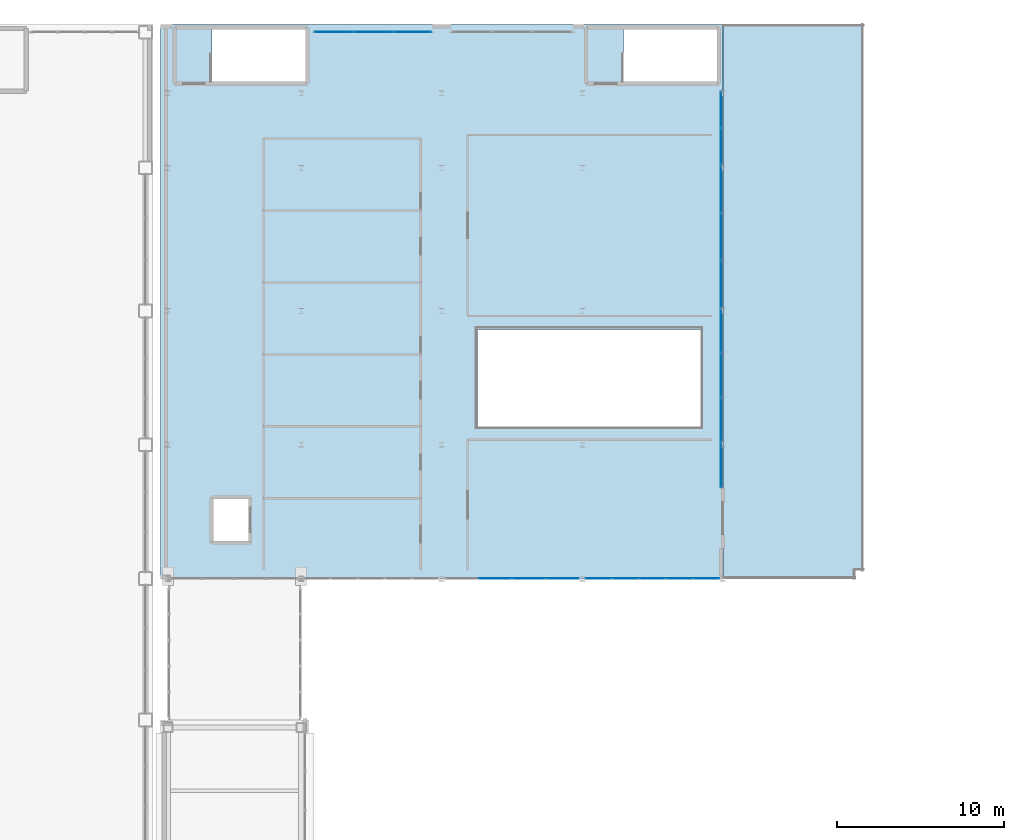
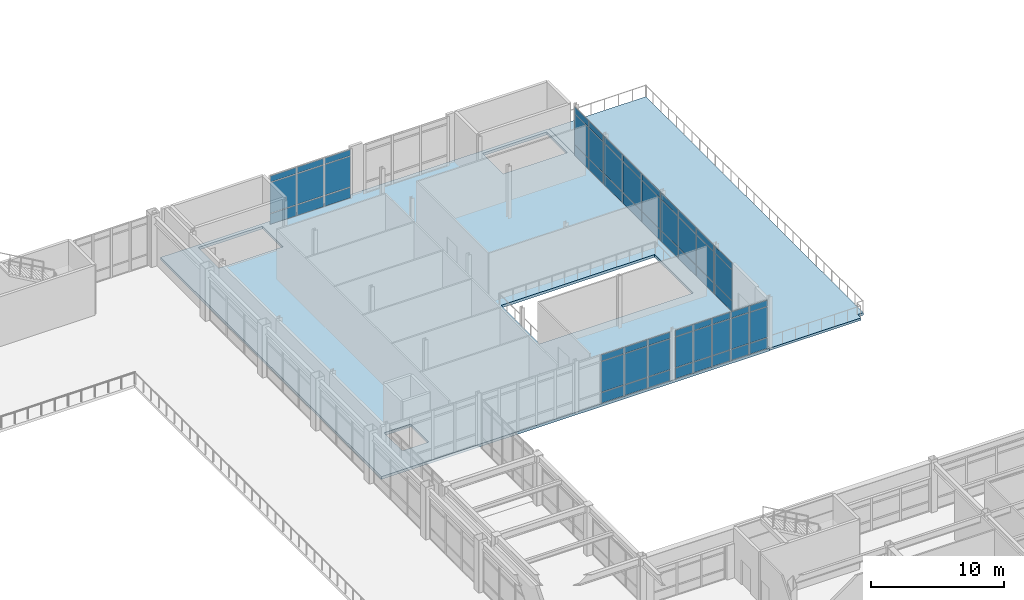
# One storey, part 123 of 154: 60 plates, 2 slabs, 7 elements without a shape of their own.
"""IFC4 building model written with IfcOpenShell, lengths in metres."""

from ifc_helpers import new_model, si_unit, direction, frame, origin, origin_2d, place, context, subcontext, project, spatial, polyline, rectangle, outline, extrude, material, layer, layer_set, type_object, element, aggregate, save


model = new_model("IFC4")

# Units and contexts
model_context = context("Model", 3, precision=1e-05, world=origin(), true_north=direction((0.0, 1.0)))
body_context = subcontext(model_context, "Body", "Model", "MODEL_VIEW")
ifc_project = project(units=[si_unit("LENGTHUNIT", "METRE"), si_unit("AREAUNIT", "SQUARE_METRE"), si_unit("VOLUMEUNIT", "CUBIC_METRE"), si_unit("PLANEANGLEUNIT", "RADIAN"), si_unit("MASSUNIT", "GRAM", prefix="KILO")], contexts=[model_context])

# Site, building, storey
site_placement = place(None, origin())
site = spatial("IfcSite", under=ifc_project, at=site_placement, CompositionType="ELEMENT")
building_placement = place(site_placement, origin())
building = spatial("IfcBuilding", under=site, at=building_placement, Name="Kazehara Bluff Congress Hotel", CompositionType="ELEMENT")
storey_placement = place(building_placement, frame((0.0, 0.0, 10.199951171875)))
storey = spatial("IfcBuildingStorey", under=building, at=storey_placement, Name="L02", CompositionType="ELEMENT", Elevation=10.199951171875)

# Curtain wall, plates
ifc_material_1 = material(Name="Anodised aluminium", Category="aluminium")
ifc_layer_1 = layer(ifc_material_1, 0.159912109375)
ifc_layer_set_1 = layer_set([ifc_layer_1], Name="Anodised aluminium")
curtain_wall_type_1 = type_object("IfcCurtainWallType", Name="TP-CW-39", PredefinedType="NOTDEFINED", material=ifc_layer_set_1)
curtain_wall_1_placement = place(storey_placement, origin())
curtain_wall_1 = element("IfcCurtainWall", 1, at=curtain_wall_1_placement, inside=storey, type_object=curtain_wall_type_1, Name="L02 curtain wall CW-39 CW-V3-L02-Y8090-7620", PredefinedType="NOTDEFINED")
ifc_material_2 = material(Name="Insulated low-E double glazing", Category="glass")
ifc_layer_2 = layer(ifc_material_2, 0.031982421875)
ifc_layer_set_2 = layer_set([ifc_layer_2], Name="Insulated low-E double glazing")
plate_type = type_object("IfcPlateType", Name="TP-CWP-02", PredefinedType="CURTAIN_PANEL", material=ifc_layer_set_2)
plate_1_placement = place(storey_placement, frame((79.237548828125, 80.89990234375, 0.06494140625), z_axis=(0.0, 0.0, 1.0), x_axis=(1.0, 0.0, 0.0)))
plate_1 = element("IfcPlate", 2, at=plate_1_placement, type_object=plate_type, Name="CW-39 panel 2.1", PredefinedType="CURTAIN_PANEL", context=body_context, shape_type="SweptSolid", body=[
    extrude(rectangle(XDim=1.955078125, YDim=0.031982421875, at=origin_2d()), origin(), (0.0, 0.0, 1.0), 0.952392578125),
])
plate_2_placement = place(storey_placement, frame((79.237548828125, 80.89990234375, 1.08251953125), z_axis=(0.0, 0.0, 1.0), x_axis=(1.0, 0.0, 0.0)))
plate_2 = element("IfcPlate", 3, at=plate_2_placement, type_object=plate_type, Name="CW-39 panel 2.2", PredefinedType="CURTAIN_PANEL", context=body_context, shape_type="SweptSolid", body=[
    extrude(rectangle(XDim=1.955078125, YDim=0.031982421875, at=origin_2d()), origin(), (0.0, 0.0, 1.0), 2.780029296875),
])
plate_3_placement = place(storey_placement, frame((79.237548828125, 80.89990234375, 3.927734375), z_axis=(0.0, 0.0, 1.0), x_axis=(1.0, 0.0, 0.0)))
plate_3 = element("IfcPlate", 4, at=plate_3_placement, type_object=plate_type, Name="CW-39 panel 2.3", PredefinedType="CURTAIN_PANEL", context=body_context, shape_type="SweptSolid", body=[
    extrude(rectangle(XDim=1.955078125, YDim=0.031982421875, at=origin_2d()), origin(), (0.0, 0.0, 1.0), 0.552490234375),
])
plate_4_placement = place(storey_placement, frame((81.262451171875, 80.89990234375, 0.06494140625), z_axis=(0.0, 0.0, 1.0), x_axis=(1.0, 0.0, 0.0)))
plate_4 = element("IfcPlate", 5, at=plate_4_placement, type_object=plate_type, Name="CW-39 panel 3.1", PredefinedType="CURTAIN_PANEL", context=body_context, shape_type="SweptSolid", body=[
    extrude(rectangle(XDim=1.955078125, YDim=0.031982421875, at=origin_2d()), origin(), (0.0, 0.0, 1.0), 0.952392578125),
])
plate_5_placement = place(storey_placement, frame((81.262451171875, 80.89990234375, 1.08251953125), z_axis=(0.0, 0.0, 1.0), x_axis=(1.0, 0.0, 0.0)))
plate_5 = element("IfcPlate", 6, at=plate_5_placement, type_object=plate_type, Name="CW-39 panel 3.2", PredefinedType="CURTAIN_PANEL", context=body_context, shape_type="SweptSolid", body=[
    extrude(rectangle(XDim=1.955078125, YDim=0.031982421875, at=origin_2d()), origin(), (0.0, 0.0, 1.0), 2.780029296875),
])
plate_6_placement = place(storey_placement, frame((81.262451171875, 80.89990234375, 3.927734375), z_axis=(0.0, 0.0, 1.0), x_axis=(1.0, 0.0, 0.0)))
plate_6 = element("IfcPlate", 7, at=plate_6_placement, type_object=plate_type, Name="CW-39 panel 3.3", PredefinedType="CURTAIN_PANEL", context=body_context, shape_type="SweptSolid", body=[
    extrude(rectangle(XDim=1.955078125, YDim=0.031982421875, at=origin_2d()), origin(), (0.0, 0.0, 1.0), 0.552490234375),
])
plate_7_placement = place(storey_placement, frame((83.27001953125, 80.89990234375, 0.06494140625), z_axis=(0.0, 0.0, 1.0), x_axis=(1.0, 0.0, 0.0)))
plate_7 = element("IfcPlate", 8, at=plate_7_placement, type_object=plate_type, Name="CW-39 panel 4.1", PredefinedType="CURTAIN_PANEL", context=body_context, shape_type="SweptSolid", body=[
    extrude(rectangle(XDim=1.919921875, YDim=0.031982421875, at=origin_2d()), origin(), (0.0, 0.0, 1.0), 0.952392578125),
])
plate_8_placement = place(storey_placement, frame((83.27001953125, 80.89990234375, 1.08251953125), z_axis=(0.0, 0.0, 1.0), x_axis=(1.0, 0.0, 0.0)))
plate_8 = element("IfcPlate", 9, at=plate_8_placement, type_object=plate_type, Name="CW-39 panel 4.2", PredefinedType="CURTAIN_PANEL", context=body_context, shape_type="SweptSolid", body=[
    extrude(rectangle(XDim=1.919921875, YDim=0.031982421875, at=origin_2d()), origin(), (0.0, 0.0, 1.0), 2.780029296875),
])
plate_9_placement = place(storey_placement, frame((83.27001953125, 80.89990234375, 3.927734375), z_axis=(0.0, 0.0, 1.0), x_axis=(1.0, 0.0, 0.0)))
plate_9 = element("IfcPlate", 10, at=plate_9_placement, type_object=plate_type, Name="CW-39 panel 4.3", PredefinedType="CURTAIN_PANEL", context=body_context, shape_type="SweptSolid", body=[
    extrude(rectangle(XDim=1.919921875, YDim=0.031982421875, at=origin_2d()), origin(), (0.0, 0.0, 1.0), 0.552490234375),
])
aggregate(curtain_wall_1, [plate_1, plate_2, plate_3, plate_4, plate_5, plate_6, plate_7, plate_8, plate_9])

curtain_wall_2_placement = place(storey_placement, origin())
curtain_wall_2 = element("IfcCurtainWall", 11, at=curtain_wall_2_placement, inside=storey, type_object=curtain_wall_type_1, Name="L02 curtain wall CW-39 CW-V3-L02-Y8090-8460", PredefinedType="NOTDEFINED")
plate_10_placement = place(storey_placement, frame((85.427490234375, 80.89990234375, 0.06494140625), z_axis=(0.0, 0.0, 1.0), x_axis=(1.0, 0.0, 0.0)))
plate_10 = element("IfcPlate", 12, at=plate_10_placement, type_object=plate_type, Name="CW-39 panel 1.1", PredefinedType="CURTAIN_PANEL", context=body_context, shape_type="SweptSolid", body=[
    extrude(rectangle(XDim=1.514892578125, YDim=0.031982421875, at=origin_2d()), origin(), (0.0, 0.0, 1.0), 0.952392578125),
])
plate_11_placement = place(storey_placement, frame((85.427490234375, 80.89990234375, 1.08251953125), z_axis=(0.0, 0.0, 1.0), x_axis=(1.0, 0.0, 0.0)))
plate_11 = element("IfcPlate", 13, at=plate_11_placement, type_object=plate_type, Name="CW-39 panel 1.2", PredefinedType="CURTAIN_PANEL", context=body_context, shape_type="SweptSolid", body=[
    extrude(rectangle(XDim=1.514892578125, YDim=0.031982421875, at=origin_2d()), origin(), (0.0, 0.0, 1.0), 2.780029296875),
])
plate_12_placement = place(storey_placement, frame((85.427490234375, 80.89990234375, 3.927734375), z_axis=(0.0, 0.0, 1.0), x_axis=(1.0, 0.0, 0.0)))
plate_12 = element("IfcPlate", 14, at=plate_12_placement, type_object=plate_type, Name="CW-39 panel 1.3", PredefinedType="CURTAIN_PANEL", context=body_context, shape_type="SweptSolid", body=[
    extrude(rectangle(XDim=1.514892578125, YDim=0.031982421875, at=origin_2d()), origin(), (0.0, 0.0, 1.0), 0.552490234375),
])
plate_13_placement = place(storey_placement, frame((87.030029296875, 80.89990234375, 0.06494140625), z_axis=(0.0, 0.0, 1.0), x_axis=(1.0, 0.0, 0.0)))
plate_13 = element("IfcPlate", 15, at=plate_13_placement, type_object=plate_type, Name="CW-39 panel 2.1", PredefinedType="CURTAIN_PANEL", context=body_context, shape_type="SweptSolid", body=[
    extrude(rectangle(XDim=1.550048828125, YDim=0.031982421875, at=origin_2d()), origin(), (0.0, 0.0, 1.0), 0.952392578125),
])
plate_14_placement = place(storey_placement, frame((87.030029296875, 80.89990234375, 1.08251953125), z_axis=(0.0, 0.0, 1.0), x_axis=(1.0, 0.0, 0.0)))
plate_14 = element("IfcPlate", 16, at=plate_14_placement, type_object=plate_type, Name="CW-39 panel 2.2", PredefinedType="CURTAIN_PANEL", context=body_context, shape_type="SweptSolid", body=[
    extrude(rectangle(XDim=1.550048828125, YDim=0.031982421875, at=origin_2d()), origin(), (0.0, 0.0, 1.0), 2.780029296875),
])
plate_15_placement = place(storey_placement, frame((87.030029296875, 80.89990234375, 3.927734375), z_axis=(0.0, 0.0, 1.0), x_axis=(1.0, 0.0, 0.0)))
plate_15 = element("IfcPlate", 17, at=plate_15_placement, type_object=plate_type, Name="CW-39 panel 2.3", PredefinedType="CURTAIN_PANEL", context=body_context, shape_type="SweptSolid", body=[
    extrude(rectangle(XDim=1.550048828125, YDim=0.031982421875, at=origin_2d()), origin(), (0.0, 0.0, 1.0), 0.552490234375),
])
plate_16_placement = place(storey_placement, frame((88.64990234375, 80.89990234375, 0.06494140625), z_axis=(0.0, 0.0, 1.0), x_axis=(1.0, 0.0, 0.0)))
plate_16 = element("IfcPlate", 18, at=plate_16_placement, type_object=plate_type, Name="CW-39 panel 3.1", PredefinedType="CURTAIN_PANEL", context=body_context, shape_type="SweptSolid", body=[
    extrude(rectangle(XDim=1.550048828125, YDim=0.031982421875, at=origin_2d()), origin(), (0.0, 0.0, 1.0), 0.952392578125),
])
plate_17_placement = place(storey_placement, frame((88.64990234375, 80.89990234375, 1.08251953125), z_axis=(0.0, 0.0, 1.0), x_axis=(1.0, 0.0, 0.0)))
plate_17 = element("IfcPlate", 19, at=plate_17_placement, type_object=plate_type, Name="CW-39 panel 3.2", PredefinedType="CURTAIN_PANEL", context=body_context, shape_type="SweptSolid", body=[
    extrude(rectangle(XDim=1.550048828125, YDim=0.031982421875, at=origin_2d()), origin(), (0.0, 0.0, 1.0), 2.780029296875),
])
plate_18_placement = place(storey_placement, frame((88.64990234375, 80.89990234375, 3.927734375), z_axis=(0.0, 0.0, 1.0), x_axis=(1.0, 0.0, 0.0)))
plate_18 = element("IfcPlate", 20, at=plate_18_placement, type_object=plate_type, Name="CW-39 panel 3.3", PredefinedType="CURTAIN_PANEL", context=body_context, shape_type="SweptSolid", body=[
    extrude(rectangle(XDim=1.550048828125, YDim=0.031982421875, at=origin_2d()), origin(), (0.0, 0.0, 1.0), 0.552490234375),
])
plate_19_placement = place(storey_placement, frame((90.27001953125, 80.89990234375, 0.06494140625), z_axis=(0.0, 0.0, 1.0), x_axis=(1.0, 0.0, 0.0)))
plate_19 = element("IfcPlate", 21, at=plate_19_placement, type_object=plate_type, Name="CW-39 panel 4.1", PredefinedType="CURTAIN_PANEL", context=body_context, shape_type="SweptSolid", body=[
    extrude(rectangle(XDim=1.550048828125, YDim=0.031982421875, at=origin_2d()), origin(), (0.0, 0.0, 1.0), 0.952392578125),
])
plate_20_placement = place(storey_placement, frame((90.27001953125, 80.89990234375, 1.08251953125), z_axis=(0.0, 0.0, 1.0), x_axis=(1.0, 0.0, 0.0)))
plate_20 = element("IfcPlate", 22, at=plate_20_placement, type_object=plate_type, Name="CW-39 panel 4.2", PredefinedType="CURTAIN_PANEL", context=body_context, shape_type="SweptSolid", body=[
    extrude(rectangle(XDim=1.550048828125, YDim=0.031982421875, at=origin_2d()), origin(), (0.0, 0.0, 1.0), 2.780029296875),
])
plate_21_placement = place(storey_placement, frame((90.27001953125, 80.89990234375, 3.927734375), z_axis=(0.0, 0.0, 1.0), x_axis=(1.0, 0.0, 0.0)))
plate_21 = element("IfcPlate", 23, at=plate_21_placement, type_object=plate_type, Name="CW-39 panel 4.3", PredefinedType="CURTAIN_PANEL", context=body_context, shape_type="SweptSolid", body=[
    extrude(rectangle(XDim=1.550048828125, YDim=0.031982421875, at=origin_2d()), origin(), (0.0, 0.0, 1.0), 0.552490234375),
])
plate_22_placement = place(storey_placement, frame((91.87255859375, 80.89990234375, 0.06494140625), z_axis=(0.0, 0.0, 1.0), x_axis=(1.0, 0.0, 0.0)))
plate_22 = element("IfcPlate", 24, at=plate_22_placement, type_object=plate_type, Name="CW-39 panel 5.1", PredefinedType="CURTAIN_PANEL", context=body_context, shape_type="SweptSolid", body=[
    extrude(rectangle(XDim=1.514892578125, YDim=0.031982421875, at=origin_2d()), origin(), (0.0, 0.0, 1.0), 0.952392578125),
])
plate_23_placement = place(storey_placement, frame((91.87255859375, 80.89990234375, 1.08251953125), z_axis=(0.0, 0.0, 1.0), x_axis=(1.0, 0.0, 0.0)))
plate_23 = element("IfcPlate", 25, at=plate_23_placement, type_object=plate_type, Name="CW-39 panel 5.2", PredefinedType="CURTAIN_PANEL", context=body_context, shape_type="SweptSolid", body=[
    extrude(rectangle(XDim=1.514892578125, YDim=0.031982421875, at=origin_2d()), origin(), (0.0, 0.0, 1.0), 2.780029296875),
])
plate_24_placement = place(storey_placement, frame((91.87255859375, 80.89990234375, 3.927734375), z_axis=(0.0, 0.0, 1.0), x_axis=(1.0, 0.0, 0.0)))
plate_24 = element("IfcPlate", 26, at=plate_24_placement, type_object=plate_type, Name="CW-39 panel 5.3", PredefinedType="CURTAIN_PANEL", context=body_context, shape_type="SweptSolid", body=[
    extrude(rectangle(XDim=1.514892578125, YDim=0.031982421875, at=origin_2d()), origin(), (0.0, 0.0, 1.0), 0.552490234375),
])
aggregate(curtain_wall_2, [plate_10, plate_11, plate_12, plate_13, plate_14, plate_15, plate_16, plate_17, plate_18, plate_19, plate_20, plate_21, plate_22, plate_23, plate_24])

ifc_material_3 = material(Name="Anodised aluminium", Category="aluminium")
ifc_layer_3 = layer(ifc_material_3, 0.159912109375)
ifc_layer_set_3 = layer_set([ifc_layer_3], Name="Anodised aluminium")
curtain_wall_type_2 = type_object("IfcCurtainWallType", Name="TP-CW-47", PredefinedType="NOTDEFINED", material=ifc_layer_set_3)
curtain_wall_3_placement = place(storey_placement, origin())
curtain_wall_3 = element("IfcCurtainWall", 27, at=curtain_wall_3_placement, inside=storey, type_object=curtain_wall_type_2, Name="L02 curtain wall CW-47 CW-V3-L02-Y11355-6840", PredefinedType="NOTDEFINED")
plate_25_placement = place(storey_placement, frame((69.600830078125, 113.550048828125, 0.06494140625), z_axis=(0.0, 0.0, 1.0), x_axis=(1.0, 0.0, 0.0)))
plate_25 = element("IfcPlate", 28, at=plate_25_placement, type_object=plate_type, Name="CW-47 panel 1.1", PredefinedType="CURTAIN_PANEL", context=body_context, shape_type="SweptSolid", body=[
    extrude(rectangle(XDim=2.26171875, YDim=0.031982421875, at=origin_2d()), origin(), (0.0, 0.0, 1.0), 0.952392578125),
])
plate_26_placement = place(storey_placement, frame((69.600830078125, 113.550048828125, 1.08251953125), z_axis=(0.0, 0.0, 1.0), x_axis=(1.0, 0.0, 0.0)))
plate_26 = element("IfcPlate", 29, at=plate_26_placement, type_object=plate_type, Name="CW-47 panel 1.2", PredefinedType="CURTAIN_PANEL", context=body_context, shape_type="SweptSolid", body=[
    extrude(rectangle(XDim=2.26171875, YDim=0.031982421875, at=origin_2d()), origin(), (0.0, 0.0, 1.0), 2.780029296875),
])
plate_27_placement = place(storey_placement, frame((69.600830078125, 113.550048828125, 3.927734375), z_axis=(0.0, 0.0, 1.0), x_axis=(1.0, 0.0, 0.0)))
plate_27 = element("IfcPlate", 30, at=plate_27_placement, type_object=plate_type, Name="CW-47 panel 1.3", PredefinedType="CURTAIN_PANEL", context=body_context, shape_type="SweptSolid", body=[
    extrude(rectangle(XDim=2.26171875, YDim=0.031982421875, at=origin_2d()), origin(), (0.0, 0.0, 1.0), 0.552490234375),
])
plate_28_placement = place(storey_placement, frame((71.949951171875, 113.550048828125, 0.06494140625), z_axis=(0.0, 0.0, 1.0), x_axis=(1.0, 0.0, 0.0)))
plate_28 = element("IfcPlate", 31, at=plate_28_placement, type_object=plate_type, Name="CW-47 panel 2.1", PredefinedType="CURTAIN_PANEL", context=body_context, shape_type="SweptSolid", body=[
    extrude(rectangle(XDim=2.296630859375, YDim=0.031982421875, at=origin_2d()), origin(), (0.0, 0.0, 1.0), 0.952392578125),
])
plate_29_placement = place(storey_placement, frame((71.949951171875, 113.550048828125, 1.08251953125), z_axis=(0.0, 0.0, 1.0), x_axis=(1.0, 0.0, 0.0)))
plate_29 = element("IfcPlate", 32, at=plate_29_placement, type_object=plate_type, Name="CW-47 panel 2.2", PredefinedType="CURTAIN_PANEL", context=body_context, shape_type="SweptSolid", body=[
    extrude(rectangle(XDim=2.296630859375, YDim=0.031982421875, at=origin_2d()), origin(), (0.0, 0.0, 1.0), 2.780029296875),
])
plate_30_placement = place(storey_placement, frame((71.949951171875, 113.550048828125, 3.927734375), z_axis=(0.0, 0.0, 1.0), x_axis=(1.0, 0.0, 0.0)))
plate_30 = element("IfcPlate", 33, at=plate_30_placement, type_object=plate_type, Name="CW-47 panel 2.3", PredefinedType="CURTAIN_PANEL", context=body_context, shape_type="SweptSolid", body=[
    extrude(rectangle(XDim=2.296630859375, YDim=0.031982421875, at=origin_2d()), origin(), (0.0, 0.0, 1.0), 0.552490234375),
])
plate_31_placement = place(storey_placement, frame((74.299072265625, 113.550048828125, 0.06494140625), z_axis=(0.0, 0.0, 1.0), x_axis=(1.0, 0.0, 0.0)))
plate_31 = element("IfcPlate", 34, at=plate_31_placement, type_object=plate_type, Name="CW-47 panel 3.1", PredefinedType="CURTAIN_PANEL", context=body_context, shape_type="SweptSolid", body=[
    extrude(rectangle(XDim=2.26171875, YDim=0.031982421875, at=origin_2d()), origin(), (0.0, 0.0, 1.0), 0.952392578125),
])
plate_32_placement = place(storey_placement, frame((74.299072265625, 113.550048828125, 1.08251953125), z_axis=(0.0, 0.0, 1.0), x_axis=(1.0, 0.0, 0.0)))
plate_32 = element("IfcPlate", 35, at=plate_32_placement, type_object=plate_type, Name="CW-47 panel 3.2", PredefinedType="CURTAIN_PANEL", context=body_context, shape_type="SweptSolid", body=[
    extrude(rectangle(XDim=2.26171875, YDim=0.031982421875, at=origin_2d()), origin(), (0.0, 0.0, 1.0), 2.780029296875),
])
plate_33_placement = place(storey_placement, frame((74.299072265625, 113.550048828125, 3.927734375), z_axis=(0.0, 0.0, 1.0), x_axis=(1.0, 0.0, 0.0)))
plate_33 = element("IfcPlate", 36, at=plate_33_placement, type_object=plate_type, Name="CW-47 panel 3.3", PredefinedType="CURTAIN_PANEL", context=body_context, shape_type="SweptSolid", body=[
    extrude(rectangle(XDim=2.26171875, YDim=0.031982421875, at=origin_2d()), origin(), (0.0, 0.0, 1.0), 0.552490234375),
])
aggregate(curtain_wall_3, [plate_25, plate_26, plate_27, plate_28, plate_29, plate_30, plate_31, plate_32, plate_33])

ifc_material_4 = material(Name="Anodised aluminium", Category="aluminium")
ifc_layer_4 = layer(ifc_material_4, 0.159912109375)
ifc_layer_set_4 = layer_set([ifc_layer_4], Name="Anodised aluminium")
curtain_wall_type_3 = type_object("IfcCurtainWallType", Name="TP-CW-135", PredefinedType="NOTDEFINED", material=ifc_layer_set_4)
curtain_wall_4_placement = place(storey_placement, origin())
curtain_wall_4 = element("IfcCurtainWall", 37, at=curtain_wall_4_placement, inside=storey, type_object=curtain_wall_type_3, Name="L02 curtain wall CW-135 CW-ENC-V3-L02-9275-8768", PredefinedType="NOTDEFINED")
plate_34_placement = place(storey_placement, frame((92.75, 87.675048828125, 0.06005859375), z_axis=(0.0, 0.0, 1.0), x_axis=(0.0, -1.0, 0.0)))
plate_34 = element("IfcPlate", 38, at=plate_34_placement, type_object=plate_type, Name="CW-135 panel 1.1", PredefinedType="CURTAIN_PANEL", context=body_context, shape_type="SweptSolid", body=[
    extrude(rectangle(XDim=2.610107421875, YDim=0.031982421875, at=origin_2d()), origin(), (0.0, 0.0, 1.0), 0.9599609375),
])
plate_35_placement = place(storey_placement, frame((92.75, 87.675048828125, 1.080078125), z_axis=(0.0, 0.0, 1.0), x_axis=(0.0, -1.0, 0.0)))
plate_35 = element("IfcPlate", 39, at=plate_35_placement, type_object=plate_type, Name="CW-135 panel 1.2", PredefinedType="CURTAIN_PANEL", context=body_context, shape_type="SweptSolid", body=[
    extrude(rectangle(XDim=2.610107421875, YDim=0.031982421875, at=origin_2d()), origin(), (0.0, 0.0, 1.0), 2.784912109375),
])
plate_36_placement = place(storey_placement, frame((92.75, 87.675048828125, 3.925048828125), z_axis=(0.0, 0.0, 1.0), x_axis=(0.0, -1.0, 0.0)))
plate_36 = element("IfcPlate", 40, at=plate_36_placement, type_object=plate_type, Name="CW-135 panel 1.3", PredefinedType="CURTAIN_PANEL", context=body_context, shape_type="SweptSolid", body=[
    extrude(rectangle(XDim=2.610107421875, YDim=0.031982421875, at=origin_2d()), origin(), (0.0, 0.0, 1.0), 0.56005859375),
])
aggregate(curtain_wall_4, [plate_34, plate_35, plate_36])

ifc_material_5 = material(Name="Anodised aluminium", Category="aluminium")
ifc_layer_5 = layer(ifc_material_5, 0.159912109375)
ifc_layer_set_5 = layer_set([ifc_layer_5], Name="Anodised aluminium")
curtain_wall_type_4 = type_object("IfcCurtainWallType", Name="TP-CW-136", PredefinedType="NOTDEFINED", material=ifc_layer_set_5)
curtain_wall_5_placement = place(storey_placement, origin())
curtain_wall_5 = element("IfcCurtainWall", 41, at=curtain_wall_5_placement, inside=storey, type_object=curtain_wall_type_4, Name="L02 curtain wall CW-136 CW-ENC-V3-L02-9275-9305", PredefinedType="NOTDEFINED")
plate_37_placement = place(storey_placement, frame((92.75, 95.69921875, 0.06494140625), z_axis=(0.0, 0.0, 1.0), x_axis=(0.0, -1.0, 0.0)))
plate_37 = element("IfcPlate", 42, at=plate_37_placement, type_object=plate_type, Name="CW-136 panel 1.1", PredefinedType="CURTAIN_PANEL", context=body_context, shape_type="SweptSolid", body=[
    extrude(rectangle(XDim=2.561767578125, YDim=0.031982421875, at=origin_2d()), origin(), (0.0, 0.0, 1.0), 0.952392578125),
])
plate_38_placement = place(storey_placement, frame((92.75, 95.69921875, 1.08251953125), z_axis=(0.0, 0.0, 1.0), x_axis=(0.0, -1.0, 0.0)))
plate_38 = element("IfcPlate", 43, at=plate_38_placement, type_object=plate_type, Name="CW-136 panel 1.2", PredefinedType="CURTAIN_PANEL", context=body_context, shape_type="SweptSolid", body=[
    extrude(rectangle(XDim=2.561767578125, YDim=0.031982421875, at=origin_2d()), origin(), (0.0, 0.0, 1.0), 2.780029296875),
])
plate_39_placement = place(storey_placement, frame((92.75, 95.69921875, 3.927734375), z_axis=(0.0, 0.0, 1.0), x_axis=(0.0, -1.0, 0.0)))
plate_39 = element("IfcPlate", 44, at=plate_39_placement, type_object=plate_type, Name="CW-136 panel 1.3", PredefinedType="CURTAIN_PANEL", context=body_context, shape_type="SweptSolid", body=[
    extrude(rectangle(XDim=2.561767578125, YDim=0.031982421875, at=origin_2d()), origin(), (0.0, 0.0, 1.0), 0.552490234375),
])
plate_40_placement = place(storey_placement, frame((92.75, 93.050048828125, 0.06494140625), z_axis=(0.0, 0.0, 1.0), x_axis=(0.0, -1.0, 0.0)))
plate_40 = element("IfcPlate", 45, at=plate_40_placement, type_object=plate_type, Name="CW-136 panel 2.1", PredefinedType="CURTAIN_PANEL", context=body_context, shape_type="SweptSolid", body=[
    extrude(rectangle(XDim=2.5966796875, YDim=0.031982421875, at=origin_2d()), origin(), (0.0, 0.0, 1.0), 0.952392578125),
])
plate_41_placement = place(storey_placement, frame((92.75, 93.050048828125, 1.08251953125), z_axis=(0.0, 0.0, 1.0), x_axis=(0.0, -1.0, 0.0)))
plate_41 = element("IfcPlate", 46, at=plate_41_placement, type_object=plate_type, Name="CW-136 panel 2.2", PredefinedType="CURTAIN_PANEL", context=body_context, shape_type="SweptSolid", body=[
    extrude(rectangle(XDim=2.5966796875, YDim=0.031982421875, at=origin_2d()), origin(), (0.0, 0.0, 1.0), 2.780029296875),
])
plate_42_placement = place(storey_placement, frame((92.75, 93.050048828125, 3.927734375), z_axis=(0.0, 0.0, 1.0), x_axis=(0.0, -1.0, 0.0)))
plate_42 = element("IfcPlate", 47, at=plate_42_placement, type_object=plate_type, Name="CW-136 panel 2.3", PredefinedType="CURTAIN_PANEL", context=body_context, shape_type="SweptSolid", body=[
    extrude(rectangle(XDim=2.5966796875, YDim=0.031982421875, at=origin_2d()), origin(), (0.0, 0.0, 1.0), 0.552490234375),
])
plate_43_placement = place(storey_placement, frame((92.75, 90.40087890625, 0.06494140625), z_axis=(0.0, 0.0, 1.0), x_axis=(0.0, -1.0, 0.0)))
plate_43 = element("IfcPlate", 48, at=plate_43_placement, type_object=plate_type, Name="CW-136 panel 3.1", PredefinedType="CURTAIN_PANEL", context=body_context, shape_type="SweptSolid", body=[
    extrude(rectangle(XDim=2.561767578125, YDim=0.031982421875, at=origin_2d()), origin(), (0.0, 0.0, 1.0), 0.952392578125),
])
plate_44_placement = place(storey_placement, frame((92.75, 90.40087890625, 1.08251953125), z_axis=(0.0, 0.0, 1.0), x_axis=(0.0, -1.0, 0.0)))
plate_44 = element("IfcPlate", 49, at=plate_44_placement, type_object=plate_type, Name="CW-136 panel 3.2", PredefinedType="CURTAIN_PANEL", context=body_context, shape_type="SweptSolid", body=[
    extrude(rectangle(XDim=2.561767578125, YDim=0.031982421875, at=origin_2d()), origin(), (0.0, 0.0, 1.0), 2.780029296875),
])
plate_45_placement = place(storey_placement, frame((92.75, 90.40087890625, 3.927734375), z_axis=(0.0, 0.0, 1.0), x_axis=(0.0, -1.0, 0.0)))
plate_45 = element("IfcPlate", 50, at=plate_45_placement, type_object=plate_type, Name="CW-136 panel 3.3", PredefinedType="CURTAIN_PANEL", context=body_context, shape_type="SweptSolid", body=[
    extrude(rectangle(XDim=2.561767578125, YDim=0.031982421875, at=origin_2d()), origin(), (0.0, 0.0, 1.0), 0.552490234375),
])
aggregate(curtain_wall_5, [plate_37, plate_38, plate_39, plate_40, plate_41, plate_42, plate_43, plate_44, plate_45])

ifc_material_6 = material(Name="Anodised aluminium", Category="aluminium")
ifc_layer_6 = layer(ifc_material_6, 0.159912109375)
ifc_layer_set_6 = layer_set([ifc_layer_6], Name="Anodised aluminium")
curtain_wall_type_5 = type_object("IfcCurtainWallType", Name="TP-CW-137", PredefinedType="NOTDEFINED", material=ifc_layer_set_6)
curtain_wall_6_placement = place(storey_placement, origin())
curtain_wall_6 = element("IfcCurtainWall", 51, at=curtain_wall_6_placement, inside=storey, type_object=curtain_wall_type_5, Name="L02 curtain wall CW-137 CW-ENC-V3-L02-9275-10132", PredefinedType="NOTDEFINED")
plate_46_placement = place(storey_placement, frame((92.75, 104.157470703125, 0.06494140625), z_axis=(0.0, 0.0, 1.0), x_axis=(0.0, -1.0, 0.0)))
plate_46 = element("IfcPlate", 52, at=plate_46_placement, type_object=plate_type, Name="CW-137 panel 1.1", PredefinedType="CURTAIN_PANEL", context=body_context, shape_type="SweptSolid", body=[
    extrude(rectangle(XDim=2.7451171875, YDim=0.031982421875, at=origin_2d()), origin(), (0.0, 0.0, 1.0), 0.952392578125),
])
plate_47_placement = place(storey_placement, frame((92.75, 104.157470703125, 1.08251953125), z_axis=(0.0, 0.0, 1.0), x_axis=(0.0, -1.0, 0.0)))
plate_47 = element("IfcPlate", 53, at=plate_47_placement, type_object=plate_type, Name="CW-137 panel 1.2", PredefinedType="CURTAIN_PANEL", context=body_context, shape_type="SweptSolid", body=[
    extrude(rectangle(XDim=2.7451171875, YDim=0.031982421875, at=origin_2d()), origin(), (0.0, 0.0, 1.0), 2.780029296875),
])
plate_48_placement = place(storey_placement, frame((92.75, 104.157470703125, 3.927734375), z_axis=(0.0, 0.0, 1.0), x_axis=(0.0, -1.0, 0.0)))
plate_48 = element("IfcPlate", 54, at=plate_48_placement, type_object=plate_type, Name="CW-137 panel 1.3", PredefinedType="CURTAIN_PANEL", context=body_context, shape_type="SweptSolid", body=[
    extrude(rectangle(XDim=2.7451171875, YDim=0.031982421875, at=origin_2d()), origin(), (0.0, 0.0, 1.0), 0.552490234375),
])
plate_49_placement = place(storey_placement, frame((92.75, 101.324951171875, 0.06494140625), z_axis=(0.0, 0.0, 1.0), x_axis=(0.0, -1.0, 0.0)))
plate_49 = element("IfcPlate", 55, at=plate_49_placement, type_object=plate_type, Name="CW-137 panel 2.1", PredefinedType="CURTAIN_PANEL", context=body_context, shape_type="SweptSolid", body=[
    extrude(rectangle(XDim=2.780029296875, YDim=0.031982421875, at=origin_2d()), origin(), (0.0, 0.0, 1.0), 0.952392578125),
])
plate_50_placement = place(storey_placement, frame((92.75, 101.324951171875, 1.08251953125), z_axis=(0.0, 0.0, 1.0), x_axis=(0.0, -1.0, 0.0)))
plate_50 = element("IfcPlate", 56, at=plate_50_placement, type_object=plate_type, Name="CW-137 panel 2.2", PredefinedType="CURTAIN_PANEL", context=body_context, shape_type="SweptSolid", body=[
    extrude(rectangle(XDim=2.780029296875, YDim=0.031982421875, at=origin_2d()), origin(), (0.0, 0.0, 1.0), 2.780029296875),
])
plate_51_placement = place(storey_placement, frame((92.75, 101.324951171875, 3.927734375), z_axis=(0.0, 0.0, 1.0), x_axis=(0.0, -1.0, 0.0)))
plate_51 = element("IfcPlate", 57, at=plate_51_placement, type_object=plate_type, Name="CW-137 panel 2.3", PredefinedType="CURTAIN_PANEL", context=body_context, shape_type="SweptSolid", body=[
    extrude(rectangle(XDim=2.780029296875, YDim=0.031982421875, at=origin_2d()), origin(), (0.0, 0.0, 1.0), 0.552490234375),
])
plate_52_placement = place(storey_placement, frame((92.75, 98.492431640625, 0.06494140625), z_axis=(0.0, 0.0, 1.0), x_axis=(0.0, -1.0, 0.0)))
plate_52 = element("IfcPlate", 58, at=plate_52_placement, type_object=plate_type, Name="CW-137 panel 3.1", PredefinedType="CURTAIN_PANEL", context=body_context, shape_type="SweptSolid", body=[
    extrude(rectangle(XDim=2.7451171875, YDim=0.031982421875, at=origin_2d()), origin(), (0.0, 0.0, 1.0), 0.952392578125),
])
plate_53_placement = place(storey_placement, frame((92.75, 98.492431640625, 1.08251953125), z_axis=(0.0, 0.0, 1.0), x_axis=(0.0, -1.0, 0.0)))
plate_53 = element("IfcPlate", 59, at=plate_53_placement, type_object=plate_type, Name="CW-137 panel 3.2", PredefinedType="CURTAIN_PANEL", context=body_context, shape_type="SweptSolid", body=[
    extrude(rectangle(XDim=2.7451171875, YDim=0.031982421875, at=origin_2d()), origin(), (0.0, 0.0, 1.0), 2.780029296875),
])
plate_54_placement = place(storey_placement, frame((92.75, 98.492431640625, 3.927734375), z_axis=(0.0, 0.0, 1.0), x_axis=(0.0, -1.0, 0.0)))
plate_54 = element("IfcPlate", 60, at=plate_54_placement, type_object=plate_type, Name="CW-137 panel 3.3", PredefinedType="CURTAIN_PANEL", context=body_context, shape_type="SweptSolid", body=[
    extrude(rectangle(XDim=2.7451171875, YDim=0.031982421875, at=origin_2d()), origin(), (0.0, 0.0, 1.0), 0.552490234375),
])
aggregate(curtain_wall_6, [plate_46, plate_47, plate_48, plate_49, plate_50, plate_51, plate_52, plate_53, plate_54])

ifc_material_7 = material(Name="Anodised aluminium", Category="aluminium")
ifc_layer_7 = layer(ifc_material_7, 0.159912109375)
ifc_layer_set_7 = layer_set([ifc_layer_7], Name="Anodised aluminium")
curtain_wall_type_6 = type_object("IfcCurtainWallType", Name="TP-CW-138", PredefinedType="NOTDEFINED", material=ifc_layer_set_7)
curtain_wall_7_placement = place(storey_placement, origin())
curtain_wall_7 = element("IfcCurtainWall", 61, at=curtain_wall_7_placement, inside=storey, type_object=curtain_wall_type_6, Name="L02 curtain wall CW-138 CW-ENC-V3-L02-9275-10782", PredefinedType="NOTDEFINED")
plate_55_placement = place(storey_placement, frame((92.75, 108.919921875, 0.06005859375), z_axis=(0.0, 0.0, 1.0), x_axis=(0.0, -1.0, 0.0)))
plate_55 = element("IfcPlate", 62, at=plate_55_placement, type_object=plate_type, Name="CW-138 panel 1.1", PredefinedType="CURTAIN_PANEL", context=body_context, shape_type="SweptSolid", body=[
    extrude(rectangle(XDim=2.1201171875, YDim=0.031982421875, at=origin_2d()), origin(), (0.0, 0.0, 1.0), 0.9599609375),
])
plate_56_placement = place(storey_placement, frame((92.75, 108.919921875, 1.080078125), z_axis=(0.0, 0.0, 1.0), x_axis=(0.0, -1.0, 0.0)))
plate_56 = element("IfcPlate", 63, at=plate_56_placement, type_object=plate_type, Name="CW-138 panel 1.2", PredefinedType="CURTAIN_PANEL", context=body_context, shape_type="SweptSolid", body=[
    extrude(rectangle(XDim=2.1201171875, YDim=0.031982421875, at=origin_2d()), origin(), (0.0, 0.0, 1.0), 2.784912109375),
])
plate_57_placement = place(storey_placement, frame((92.75, 108.919921875, 3.925048828125), z_axis=(0.0, 0.0, 1.0), x_axis=(0.0, -1.0, 0.0)))
plate_57 = element("IfcPlate", 64, at=plate_57_placement, type_object=plate_type, Name="CW-138 panel 1.3", PredefinedType="CURTAIN_PANEL", context=body_context, shape_type="SweptSolid", body=[
    extrude(rectangle(XDim=2.1201171875, YDim=0.031982421875, at=origin_2d()), origin(), (0.0, 0.0, 1.0), 0.56005859375),
])
plate_58_placement = place(storey_placement, frame((92.75, 106.72998046875, 0.06005859375), z_axis=(0.0, 0.0, 1.0), x_axis=(0.0, -1.0, 0.0)))
plate_58 = element("IfcPlate", 65, at=plate_58_placement, type_object=plate_type, Name="CW-138 panel 2.1", PredefinedType="CURTAIN_PANEL", context=body_context, shape_type="SweptSolid", body=[
    extrude(rectangle(XDim=2.1201171875, YDim=0.031982421875, at=origin_2d()), origin(), (0.0, 0.0, 1.0), 0.9599609375),
])
plate_59_placement = place(storey_placement, frame((92.75, 106.72998046875, 1.080078125), z_axis=(0.0, 0.0, 1.0), x_axis=(0.0, -1.0, 0.0)))
plate_59 = element("IfcPlate", 66, at=plate_59_placement, type_object=plate_type, Name="CW-138 panel 2.2", PredefinedType="CURTAIN_PANEL", context=body_context, shape_type="SweptSolid", body=[
    extrude(rectangle(XDim=2.1201171875, YDim=0.031982421875, at=origin_2d()), origin(), (0.0, 0.0, 1.0), 2.784912109375),
])
plate_60_placement = place(storey_placement, frame((92.75, 106.72998046875, 3.925048828125), z_axis=(0.0, 0.0, 1.0), x_axis=(0.0, -1.0, 0.0)))
plate_60 = element("IfcPlate", 67, at=plate_60_placement, type_object=plate_type, Name="CW-138 panel 2.3", PredefinedType="CURTAIN_PANEL", context=body_context, shape_type="SweptSolid", body=[
    extrude(rectangle(XDim=2.1201171875, YDim=0.031982421875, at=origin_2d()), origin(), (0.0, 0.0, 1.0), 0.56005859375),
])
aggregate(curtain_wall_7, [plate_55, plate_56, plate_57, plate_58, plate_59, plate_60])

# Slabs
ifc_material_8 = material(Name="Concrete C36/45", Category="concrete")
ifc_layer_8 = layer(ifc_material_8, 0.25)
ifc_layer_set_8 = layer_set([ifc_layer_8], Name="Concrete C36/45")
slab_type_1 = type_object("IfcSlabType", Name="TP-SL-250", PredefinedType="FLOOR", material=ifc_layer_set_8)
slab_1_placement = place(storey_placement, frame((0.0, 0.0, -0.25)))
element("IfcSlab", 68, at=slab_1_placement, inside=storey, type_object=slab_type_1, Name="L02 V3 composite floor slab", PredefinedType="FLOOR", context=body_context, shape_type="SweptSolid", body=[
    extrude(outline(polyline([(59.25, 80.89990234375), (92.85009765625, 80.89990234375), (92.85009765625, 114.0), (59.25, 114.0), (59.25, 80.89990234375)]), holes=[polyline([(62.324951171875, 110.60009765625), (67.89990234375, 110.60009765625), (67.89990234375, 113.699951171875), (62.324951171875, 113.699951171875), (62.324951171875, 110.60009765625)]), polyline([(86.925048828125, 110.60009765625), (92.5, 110.60009765625), (92.5, 113.699951171875), (86.925048828125, 113.699951171875), (86.925048828125, 110.60009765625)]), polyline([(62.300048828125, 83.050048828125), (64.60009765625, 83.050048828125), (64.60009765625, 85.75), (62.300048828125, 85.75), (62.300048828125, 83.050048828125)]), polyline([(78.199951171875, 90.0), (91.5, 90.0), (91.5, 95.800048828125), (78.199951171875, 95.800048828125), (78.199951171875, 90.0)])]), origin(), (0.0, 0.0, 1.0), 0.25),
])
ifc_material_9 = material(Name="Concrete C36/45", Category="concrete")
ifc_layer_9 = layer(ifc_material_9, 0.219970703125)
ifc_layer_set_9 = layer_set([ifc_layer_9], Name="Concrete C36/45")
slab_type_2 = type_object("IfcSlabType", Name="TP-SL-TER", PredefinedType="FLOOR", material=ifc_layer_set_9)
slab_2_placement = place(storey_placement, frame((0.0, 0.0, -0.219970703125)))
element("IfcSlab", 69, at=slab_2_placement, inside=storey, type_object=slab_type_2, Name="Spa Bluff Sun Terrace", PredefinedType="FLOOR", context=body_context, shape_type="SweptSolid", body=[
    extrude(outline(polyline([(92.85009765625, 80.89990234375), (100.75, 80.89990234375), (100.75, 81.39990234375), (101.25, 81.39990234375), (101.25, 114.0), (92.85009765625, 114.0), (92.85009765625, 80.89990234375)])), origin(), (0.0, 0.0, 1.0), 0.219970703125),
])

save(model, "model.ifc")
